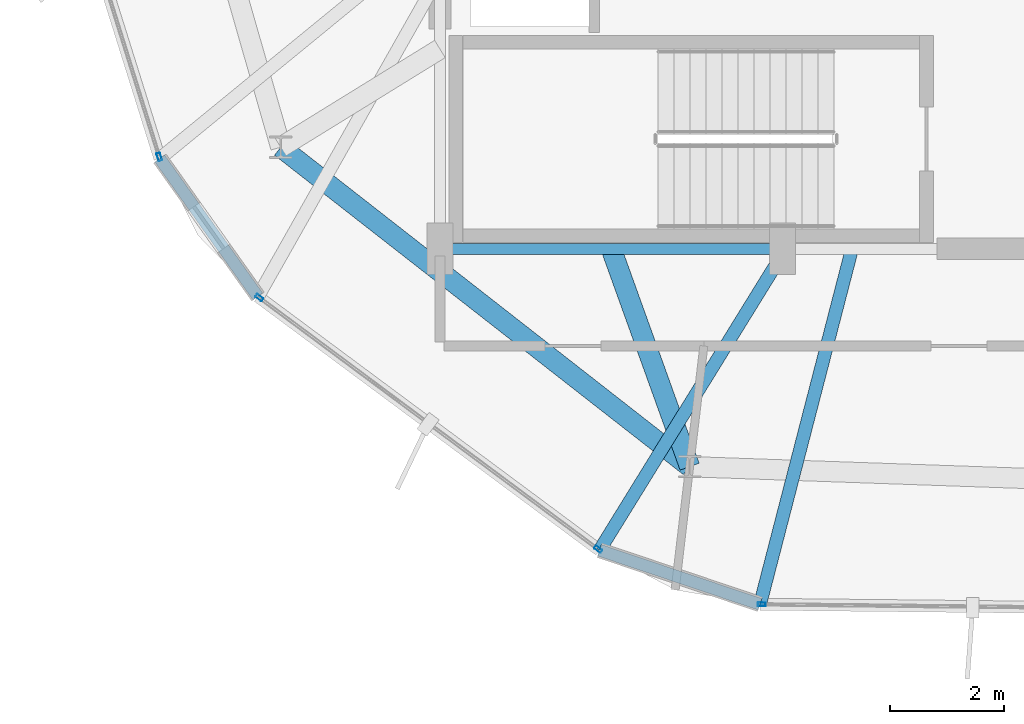
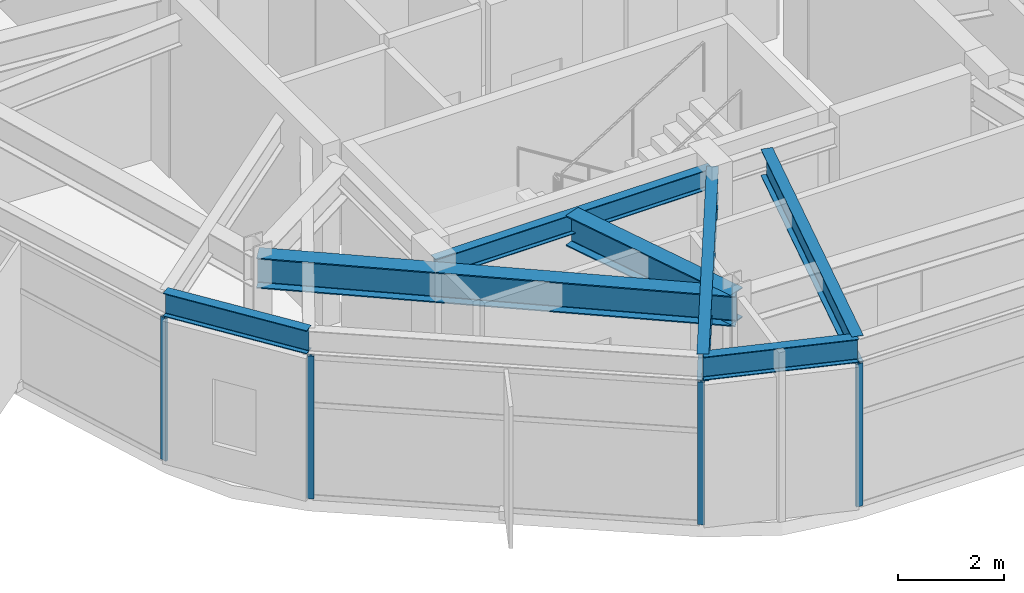
# One storey, part 2 of 19: 7 beams, 4 members, 3 elements without a shape of their own.
"""IFC4 building model written with IfcOpenShell, lengths in metres."""

import ifcopenshell
import ifcopenshell.guid

model = None  # the IFC model being written
_history = None  # IfcOwnerHistory: only IFC2X3 demands one
_inside = {}  # id of a spatial element -> (the spatial element, [elements in it])
_under = {}  # id of a project, library or spatial element -> (it, [spatial elements below it])
_declared = {}  # id of a project -> (the project, [libraries it declares])
_typed = {}  # id of a type object -> (the type object, [elements of that type])
_made_of = {}  # id of a material, layer set ... -> (it, [elements and type objects made of it])


def new_model(schema):
    """Start an empty IFC model of exactly this schema.

    Asked for "IFC4X3", IfcOpenShell would pick the latest addendum, in which some entities
    have other attributes; the version numbers below select the first issue.
    IFC2X3 requires an IfcOwnerHistory on every rooted entity: one is made here for all.
    """
    global model, _history
    if schema == "IFC4X3":
        model = ifcopenshell.file(schema_version=(4, 3, 0, 0))
    else:
        model = ifcopenshell.file(schema=schema)
    _inside.clear()
    _under.clear()
    _declared.clear()
    _typed.clear()
    _made_of.clear()
    _history = None
    if model.schema == "IFC2X3":
        org = make("IfcOrganization", Name="unknown")
        user = make(
            "IfcPersonAndOrganization",
            ThePerson=make("IfcPerson", FamilyName="unknown"),
            TheOrganization=org,
        )
        app = make(
            "IfcApplication",
            ApplicationDeveloper=org,
            Version="unknown",
            ApplicationFullName="unknown",
            ApplicationIdentifier="unknown",
        )
        _history = make(
            "IfcOwnerHistory",
            OwningUser=user,
            OwningApplication=app,
            ChangeAction="ADDED",
            CreationDate=0,
        )
    return model


def make(cls, **values):
    """One entity of the class cls with the attributes given. An attribute that is None is left unset."""
    return model.create_entity(
        cls, **{name: value for name, value in values.items() if value is not None}
    )


def rooted(cls, **values):
    """An entity with a GlobalId (a new one), such as an element, a storey or a relation."""
    return make(cls, GlobalId=ifcopenshell.guid.new(), OwnerHistory=_history, **values)


def si_unit(unit_type, name, prefix=None):
    """IfcSIUnit, for example si_unit("LENGTHUNIT", "METRE", prefix="MILLI")."""
    return make("IfcSIUnit", UnitType=unit_type, Prefix=prefix, Name=name)


def assignment(units):
    """IfcUnitAssignment: the units of a project."""
    return None if units is None else make("IfcUnitAssignment", Units=units)


def point(xyz):
    """IfcCartesianPoint."""
    return None if xyz is None else make("IfcCartesianPoint", Coordinates=xyz)


def direction(xyz):
    """IfcDirection."""
    return None if xyz is None else make("IfcDirection", DirectionRatios=xyz)


def frame(location, z_axis=None, x_axis=None):
    """IfcAxis2Placement3D, a coordinate frame: its origin and axes. An axis left out is left unset."""
    return make(
        "IfcAxis2Placement3D",
        Location=point(location),
        Axis=direction(z_axis),
        RefDirection=direction(x_axis),
    )


def frame_2d(location, x_axis=None):
    """IfcAxis2Placement2D, a coordinate frame in the plane: its origin and x axis."""
    return make(
        "IfcAxis2Placement2D", Location=point(location), RefDirection=direction(x_axis)
    )


def origin():
    """The frame at (0, 0, 0) with its axes left unset."""
    return frame((0.0, 0.0, 0.0))


def origin_2d():
    """The frame at (0, 0) in the plane with its x axis left unset."""
    return frame_2d((0.0, 0.0))


def place(relative_to, where):
    """IfcLocalPlacement: puts the frame where relative to a parent placement (None: the world)."""
    return make(
        "IfcLocalPlacement", PlacementRelTo=relative_to, RelativePlacement=where
    )


def context(
    kind, dimensions, precision=None, world=None, true_north=None, identifier=None
):
    """IfcGeometricRepresentationContext, for example the 3D "Model" context."""
    return make(
        "IfcGeometricRepresentationContext",
        ContextIdentifier=identifier,
        ContextType=kind,
        CoordinateSpaceDimension=dimensions,
        Precision=precision,
        WorldCoordinateSystem=world,
        TrueNorth=true_north,
    )


def subcontext(parent, identifier, kind, view, scale=None):
    """IfcGeometricRepresentationSubContext, for example "Body" below "Model"."""
    return make(
        "IfcGeometricRepresentationSubContext",
        ContextIdentifier=identifier,
        ContextType=kind,
        ParentContext=parent,
        TargetScale=scale,
        TargetView=view,
    )


def project(units=None, contexts=None):
    """IfcProject with its units and contexts."""
    return rooted(
        "IfcProject",
        Name="project",
        RepresentationContexts=contexts,
        UnitsInContext=assignment(units),
    )


def spatial(cls, under=None, at=None, **own):
    """A site, building, storey or space (cls), placed at a placement, below another one or the project."""
    s = rooted(cls, ObjectPlacement=at, **own)
    if under is not None:
        _under.setdefault(under.id(), (under, []))[1].append(s)
    return s


def profile(cls, at=None, kind="AREA", **sizes):
    """A parametric profile (cls). Its sizes go by their IFC names, for example OverallWidth=200.0."""
    return make(cls, ProfileType=kind, Position=at, **sizes)


def hollow_rectangle(**sizes):
    """IfcRectangleHollowProfileDef."""
    return profile("IfcRectangleHollowProfileDef", **sizes)


def i_section(**sizes):
    """IfcIShapeProfileDef."""
    return profile("IfcIShapeProfileDef", **sizes)


def extrude(swept, where, along, depth):
    """IfcExtrudedAreaSolid: the profile swept, set in the frame where, extruded along a direction by depth."""
    return make(
        "IfcExtrudedAreaSolid",
        SweptArea=swept,
        Position=where,
        ExtrudedDirection=direction(along),
        Depth=depth,
    )


def shape(context_of_items, identifier, shape_type, items):
    """IfcShapeRepresentation: the items that make up one representation, for example the "Body"."""
    return make(
        "IfcShapeRepresentation",
        ContextOfItems=context_of_items,
        RepresentationIdentifier=identifier,
        RepresentationType=shape_type,
        Items=items,
    )


def material(Name=None, Category=None):
    """IfcMaterial."""
    return make("IfcMaterial", Name=Name, Category=Category)


def layer(
    of_material, thickness, ventilated=None, Name=None, Category=None, Priority=None
):
    """IfcMaterialLayer: one layer of a wall or slab, of a material (None: an air gap)."""
    return make(
        "IfcMaterialLayer",
        Material=of_material,
        LayerThickness=thickness,
        IsVentilated=ventilated,
        Name=Name,
        Category=Category,
        Priority=Priority,
    )


def layer_set(layers, Name=None):
    """IfcMaterialLayerSet."""
    return make("IfcMaterialLayerSet", MaterialLayers=layers, LayerSetName=Name)


def material_profile(
    of_material, cross_section, Name=None, Category=None, Priority=None
):
    """IfcMaterialProfile: a cross section and its material."""
    return make(
        "IfcMaterialProfile",
        Name=Name,
        Material=of_material,
        Profile=cross_section,
        Priority=Priority,
        Category=Category,
    )


def profile_set(profiles, Name=None, composite=None):
    """IfcMaterialProfileSet."""
    return make(
        "IfcMaterialProfileSet",
        Name=Name,
        MaterialProfiles=profiles,
        CompositeProfile=composite,
    )


def made_of(thing, what):
    """Note that an element or type object is made of a material, layer set ...; save() writes the relation."""
    if what is not None:
        _made_of.setdefault(what.id(), (what, []))[1].append(thing)
    return thing


def type_object(cls, material=None, **own):
    """A type object (cls), such as IfcWallType, which elements share."""
    return made_of(rooted(cls, **own), material)


def element(
    cls,
    number,
    at=None,
    inside=None,
    cuts=None,
    type_object=None,
    material=None,
    context=None,
    identifier="Body",
    shape_type=None,
    held_by="IfcProductDefinitionShape",
    body=None,
    shapes=None,
    **own,
):
    """One element of the class cls, such as IfcWall. Its Tag is "e" and its number.

    at: its placement. inside: the storey or other place that contains it. cuts: it is an
    opening in that element (IfcRelVoidsElement). A single representation is given by context,
    identifier, shape_type and body (its items); several are given by shapes. held_by: the class
    of the entity that holds the representations. save() writes the other relations.
    """
    e = rooted(cls, Tag="e%d" % number, ObjectPlacement=at, **own)
    if body is not None:
        shapes = [shape(context, identifier, shape_type, body)]
    if shapes is not None:
        e.Representation = make(held_by, Representations=shapes)
    if inside is not None:
        _inside.setdefault(inside.id(), (inside, []))[1].append(e)
    if cuts is not None:
        rooted(
            "IfcRelVoidsElement", RelatingBuildingElement=cuts, RelatedOpeningElement=e
        )
    if type_object is not None:
        _typed.setdefault(type_object.id(), (type_object, []))[1].append(e)
    return made_of(e, material)


def aggregate(whole, parts):
    """IfcRelAggregates: a whole, such as a stair, and the parts it consists of."""
    return rooted("IfcRelAggregates", RelatingObject=whole, RelatedObjects=parts)


def save(model, path):
    """Write the relations noted so far, then the file.

    IfcRelAggregates (storeys below a building ...), IfcRelContainedInSpatialStructure (elements
    in a storey), IfcRelDefinesByType, IfcRelAssociatesMaterial and IfcRelDeclares: one each for
    every whole, place, type object, material and project.
    """
    for whole, parts in _under.values():
        aggregate(whole, parts)
    for where, things in _inside.values():
        rooted(
            "IfcRelContainedInSpatialStructure",
            RelatedElements=things,
            RelatingStructure=where,
        )
    for kind, things in _typed.values():
        rooted("IfcRelDefinesByType", RelatedObjects=things, RelatingType=kind)
    for what, things in _made_of.values():
        rooted("IfcRelAssociatesMaterial", RelatedObjects=things, RelatingMaterial=what)
    for by, libraries in _declared.values():
        rooted("IfcRelDeclares", RelatingContext=by, RelatedDefinitions=libraries)
    model.write(path)


model = new_model("IFC4")

# Units and contexts
model_context = context("Model", 3, precision=1e-05, world=origin(), true_north=direction((0.0, 1.0)))
body_context = subcontext(model_context, "Body", "Model", "MODEL_VIEW")
ifc_project = project(units=[si_unit("LENGTHUNIT", "METRE"), si_unit("AREAUNIT", "SQUARE_METRE"), si_unit("VOLUMEUNIT", "CUBIC_METRE"), si_unit("PLANEANGLEUNIT", "RADIAN"), si_unit("MASSUNIT", "GRAM", prefix="KILO")], contexts=[model_context])

# Site, building, storey
site_placement = place(None, origin())
site = spatial("IfcSite", under=ifc_project, at=site_placement, CompositionType="ELEMENT")
building_placement = place(site_placement, origin())
building = spatial("IfcBuilding", under=site, at=building_placement, Name="Soratama Intermodal Tower", CompositionType="ELEMENT")
storey_placement = place(building_placement, frame((0.0, 0.0, 297.25)))
storey = spatial("IfcBuildingStorey", under=building, at=storey_placement, Name="L75", CompositionType="ELEMENT", Elevation=297.25)

# Beams
ifc_material_1 = material(Name="Structural steel ASTM A992 Grade 50", Category="steel")
ifc_material_profile_1 = material_profile(ifc_material_1, i_section(OverallWidth=0.19091796875, OverallDepth=0.4599609375, WebThickness=0.010009765625, FlangeThickness=0.01611328125, FilletRadius=0.010986328125, at=origin_2d()), Name="W18X55")
ifc_profile_set_1 = profile_set([ifc_material_profile_1], Name="Structural steel ASTM A992 Grade 50")
beam_type_1 = type_object("IfcBeamType", Name="BM-FLR-W18X55", PredefinedType="BEAM", material=ifc_profile_set_1)
beam_1_placement = place(storey_placement, frame((32.60009765625, 15.0, 3.6650390625), z_axis=(1.0, 0.0, 0.0), x_axis=(0.0, 1.0, 0.0)))
element("IfcBeam", 1, at=beam_1_placement, inside=storey, type_object=beam_type_1, Name="BM-L75-CRING-01", PredefinedType="BEAM", context=body_context, shape_type="SweptSolid", body=[
    extrude(i_section(OverallWidth=0.19091796875, OverallDepth=0.4599609375, WebThickness=0.010009765625, FlangeThickness=0.01611328125, FilletRadius=0.010986328125, at=origin_2d()), origin(), (0.0, 0.0, 1.0), 6.0),
])
ifc_material_2 = material(Name="Structural steel ASTM A992 Grade 50", Category="steel")
ifc_material_profile_2 = material_profile(ifc_material_2, i_section(OverallWidth=0.35498046875, OverallDepth=0.695068359375, WebThickness=0.015380859375, FlangeThickness=0.02490234375, FilletRadius=0.01611328125, at=origin_2d()), Name="W27X146")
ifc_profile_set_2 = profile_set([ifc_material_profile_2], Name="Structural steel ASTM A992 Grade 50")
beam_type_2 = type_object("IfcBeamType", Name="BM-RING-W27X146", PredefinedType="BEAM", material=ifc_profile_set_2)
beam_2_placement = place(storey_placement, frame((29.81298828125, 16.780029296875, 3.547607421875), z_axis=(0.78801907717, -0.615650821502, 0.0), x_axis=(0.615650821502, 0.78801907717, 0.0)))
element("IfcBeam", 2, at=beam_2_placement, inside=storey, type_object=beam_type_2, Name="BM-L75-RING-06", PredefinedType="BEAM", context=body_context, shape_type="SweptSolid", body=[
    extrude(i_section(OverallWidth=0.35498046875, OverallDepth=0.695068359375, WebThickness=0.015380859375, FlangeThickness=0.02490234375, FilletRadius=0.01611328125, at=origin_2d()), origin(), (0.0, 0.0, 1.0), 9.084716796875),
])
beam_3_placement = place(storey_placement, frame((35.60009765625, 15.0, 3.547607421875), z_axis=(0.33853385328, -0.940954212586, 0.0), x_axis=(0.940954212586, 0.33853385328, 0.0)))
element("IfcBeam", 3, at=beam_3_placement, inside=storey, type_object=beam_type_2, Name="BM-L75-RAD-07", PredefinedType="BEAM", context=body_context, shape_type="SweptSolid", body=[
    extrude(i_section(OverallWidth=0.35498046875, OverallDepth=0.695068359375, WebThickness=0.015380859375, FlangeThickness=0.02490234375, FilletRadius=0.01611328125, at=origin_2d()), origin(), (0.0, 0.0, 1.0), 4.05224609375),
])
ifc_material_3 = material(Name="Structural steel ASTM A992 Grade 50", Category="steel")
ifc_material_profile_3 = material_profile(ifc_material_3, i_section(OverallWidth=0.2099609375, OverallDepth=0.537109375, WebThickness=0.010986328125, FlangeThickness=0.017333984375, FilletRadius=0.012939453125, at=origin_2d()), Name="W21X68")
ifc_profile_set_3 = profile_set([ifc_material_profile_3], Name="Structural steel ASTM A992 Grade 50")
beam_type_3 = type_object("IfcBeamType", Name="BM-SPN-W21X68", PredefinedType="SPANDREL", material=ifc_profile_set_3)
beam_4_placement = place(storey_placement, frame((27.695068359375, 16.58203125, 3.62646484375), z_axis=(0.579204253475, -0.815182453661, 0.0), x_axis=(0.815182453661, 0.579204253475, 0.0)))
element("IfcBeam", 4, at=beam_4_placement, inside=storey, type_object=beam_type_3, Name="BS-L75-CRN04", PredefinedType="SPANDREL", context=body_context, shape_type="SweptSolid", body=[
    extrude(i_section(OverallWidth=0.2099609375, OverallDepth=0.537109375, WebThickness=0.010986328125, FlangeThickness=0.017333984375, FilletRadius=0.012939453125, at=origin_2d()), origin(), (0.0, 0.0, 1.0), 2.966064453125),
])
beam_5_placement = place(storey_placement, frame((35.39404296875, 9.722900390625, 3.62646484375), z_axis=(0.947790532427, -0.318893566321, 0.0), x_axis=(0.318893566321, 0.947790532427, 0.0)))
element("IfcBeam", 5, at=beam_5_placement, inside=storey, type_object=beam_type_3, Name="BS-L75-CRN05", PredefinedType="SPANDREL", context=body_context, shape_type="SweptSolid", body=[
    extrude(i_section(OverallWidth=0.2099609375, OverallDepth=0.537109375, WebThickness=0.010986328125, FlangeThickness=0.017333984375, FilletRadius=0.012939453125, at=origin_2d()), origin(), (0.0, 0.0, 1.0), 2.9658203125),
])
ifc_material_4 = material(Name="Structural steel ASTM A992 Grade 50", Category="steel")
ifc_material_profile_4 = material_profile(ifc_material_4, i_section(OverallWidth=0.22900390625, OverallDepth=0.612060546875, WebThickness=0.011962890625, FlangeThickness=0.01953125, FilletRadius=0.012939453125, at=origin_2d()), Name="W24X84")
ifc_profile_set_4 = profile_set([ifc_material_profile_4], Name="Structural steel ASTM A992 Grade 50")
beam_type_4 = type_object("IfcBeamType", Name="BM-TIE-W24X84", PredefinedType="BEAM", material=ifc_profile_set_4)
beam_6_placement = place(storey_placement, frame((38.632080078125, 14.966064453125, 3.589111328125), z_axis=(-0.525447333451, -0.850826127813, 0.0), x_axis=(0.850826127813, -0.525447333451, 0.0)))
element("IfcBeam", 6, at=beam_6_placement, inside=storey, type_object=beam_type_4, Name="BM-L75-TIE1-05", PredefinedType="BEAM", context=body_context, shape_type="SweptSolid", body=[
    extrude(i_section(OverallWidth=0.22900390625, OverallDepth=0.612060546875, WebThickness=0.011962890625, FlangeThickness=0.01953125, FilletRadius=0.012939453125, at=origin_2d()), origin(), (0.0, 0.0, 1.0), 6.162353515625),
])
beam_7_placement = place(storey_placement, frame((39.804931640625, 14.9609375, 3.589111328125), z_axis=(-0.250468679345, -0.968124703056, 0.0), x_axis=(0.968124703056, -0.250468679345, 0.0)))
element("IfcBeam", 7, at=beam_7_placement, inside=storey, type_object=beam_type_4, Name="BM-L75-TIE0-06", PredefinedType="BEAM", context=body_context, shape_type="SweptSolid", body=[
    extrude(i_section(OverallWidth=0.22900390625, OverallDepth=0.612060546875, WebThickness=0.011962890625, FlangeThickness=0.01953125, FilletRadius=0.012939453125, at=origin_2d()), origin(), (0.0, 0.0, 1.0), 6.387451171875),
])

# Curtain wall, member
ifc_material_5 = material(Name="Double-glazed aluminium curtain wall", Category="aluminium")
ifc_layer = layer(ifc_material_5, 0.159912109375)
ifc_layer_set = layer_set([ifc_layer], Name="Double-glazed aluminium curtain wall")
curtain_wall_type = type_object("IfcCurtainWallType", Name="CW-SYS-6", PredefinedType="NOTDEFINED", material=ifc_layer_set)
curtain_wall_1_placement = place(storey_placement, origin())
curtain_wall_1 = element("IfcCurtainWall", 8, at=curtain_wall_1_placement, inside=storey, type_object=curtain_wall_type, Name="L75 Faceted Curtain Wall F04", PredefinedType="NOTDEFINED")
ifc_material_6 = material(Name="Anodised aluminium AA 6063-T6", Category="aluminium")
ifc_material_profile_5 = material_profile(ifc_material_6, hollow_rectangle(XDim=0.06494140625, YDim=0.139892578125, WallThickness=0.0048828125, InnerFilletRadius=0.0048828125, OuterFilletRadius=0.010009765625, at=origin_2d()), Name="CWM140X65X5")
ifc_profile_set_5 = profile_set([ifc_material_profile_5], Name="Anodised aluminium AA 6063-T6")
member_type = type_object("IfcMemberType", Name="MT-CWM-6", PredefinedType="MULLION", material=ifc_profile_set_5)
member_1_placement = place(storey_placement, frame((27.68603515625, 16.611083984375, 0.0), z_axis=(0.0, 0.0, 1.0), x_axis=(0.954240565679, 0.299040035469, 0.0)))
member_1 = element("IfcMember", 9, at=member_1_placement, type_object=member_type, Name="CW-6 mullion 2", PredefinedType="MULLION", context=body_context, shape_type="SweptSolid", body=[
    extrude(hollow_rectangle(XDim=0.06494140625, YDim=0.139892578125, WallThickness=0.0048828125, InnerFilletRadius=0.0048828125, OuterFilletRadius=0.010009765625, at=origin_2d()), origin(), (0.0, 0.0, 1.0), 3.27392578125),
])
aggregate(curtain_wall_1, [member_1])

# Curtain wall, members
curtain_wall_2_placement = place(storey_placement, origin())
curtain_wall_2 = element("IfcCurtainWall", 10, at=curtain_wall_2_placement, inside=storey, type_object=curtain_wall_type, Name="L75 Faceted Curtain Wall F05", PredefinedType="NOTDEFINED")
member_2_placement = place(storey_placement, frame((29.4375, 14.146484375, 0.0), z_axis=(0.0, 0.0, 1.0), x_axis=(0.596228098938, 0.802815080848, 0.0)))
member_2 = element("IfcMember", 11, at=member_2_placement, type_object=member_type, Name="CW-6 mullion 1", PredefinedType="MULLION", context=body_context, shape_type="SweptSolid", body=[
    extrude(hollow_rectangle(XDim=0.06494140625, YDim=0.139892578125, WallThickness=0.0048828125, InnerFilletRadius=0.0048828125, OuterFilletRadius=0.010009765625, at=origin_2d()), origin(), (0.0, 0.0, 1.0), 3.27392578125),
])
member_3_placement = place(storey_placement, frame((35.36962890625, 9.740966796875, 0.0), z_axis=(0.0, 0.0, 1.0), x_axis=(0.596228098938, 0.802815080848, 0.0)))
member_3 = element("IfcMember", 12, at=member_3_placement, type_object=member_type, Name="CW-6 mullion 2", PredefinedType="MULLION", context=body_context, shape_type="SweptSolid", body=[
    extrude(hollow_rectangle(XDim=0.06494140625, YDim=0.139892578125, WallThickness=0.0048828125, InnerFilletRadius=0.0048828125, OuterFilletRadius=0.010009765625, at=origin_2d()), origin(), (0.0, 0.0, 1.0), 3.27392578125),
])
aggregate(curtain_wall_2, [member_2, member_3])

# Curtain wall, member
curtain_wall_3_placement = place(storey_placement, origin())
curtain_wall_3 = element("IfcCurtainWall", 13, at=curtain_wall_3_placement, inside=storey, type_object=curtain_wall_type, Name="L75 Faceted Curtain Wall F06", PredefinedType="NOTDEFINED")
member_4_placement = place(storey_placement, frame((38.2353515625, 8.7763671875, 0.0), z_axis=(0.0, 0.0, 1.0), x_axis=(0.010470911273, 0.999945178506, 0.0)))
member_4 = element("IfcMember", 14, at=member_4_placement, type_object=member_type, Name="CW-6 mullion 1", PredefinedType="MULLION", context=body_context, shape_type="SweptSolid", body=[
    extrude(hollow_rectangle(XDim=0.06494140625, YDim=0.139892578125, WallThickness=0.0048828125, InnerFilletRadius=0.0048828125, OuterFilletRadius=0.010009765625, at=origin_2d()), origin(), (0.0, 0.0, 1.0), 3.27392578125),
])
aggregate(curtain_wall_3, [member_4])

save(model, "model.ifc")
